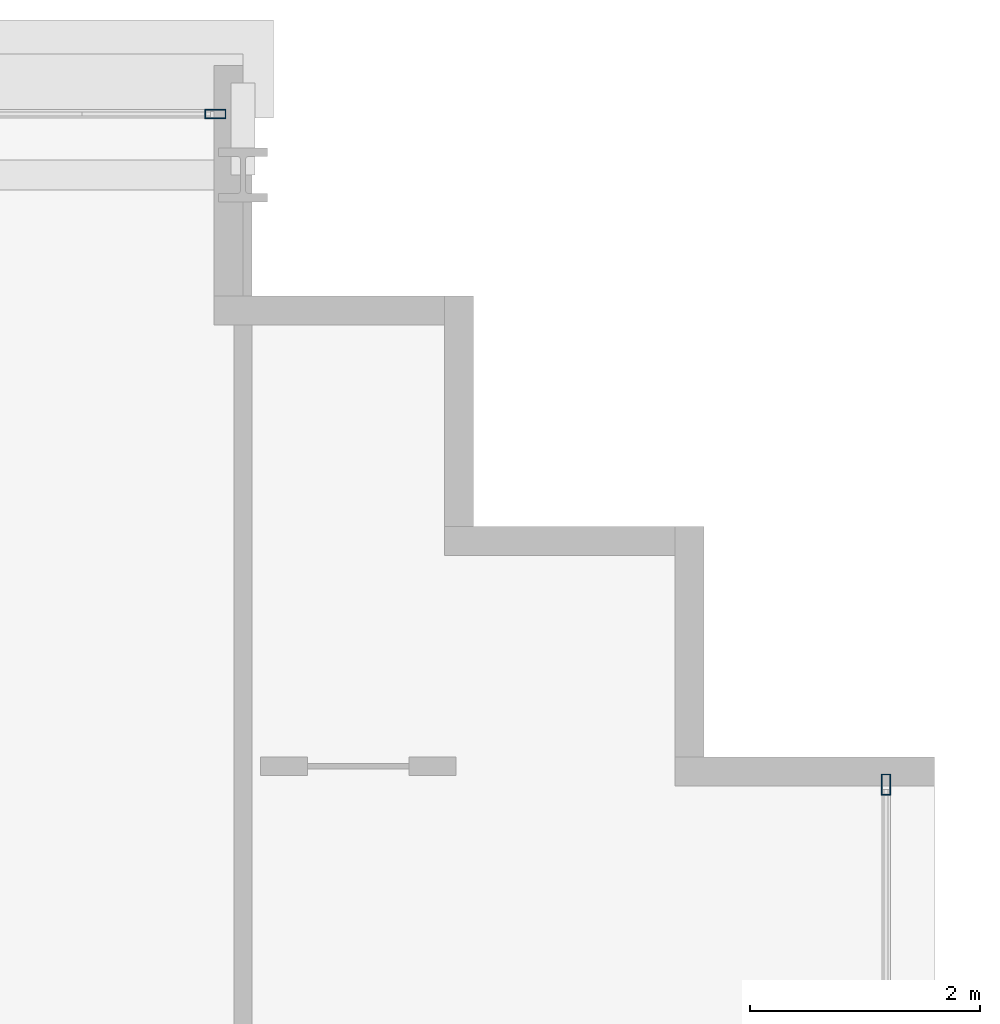
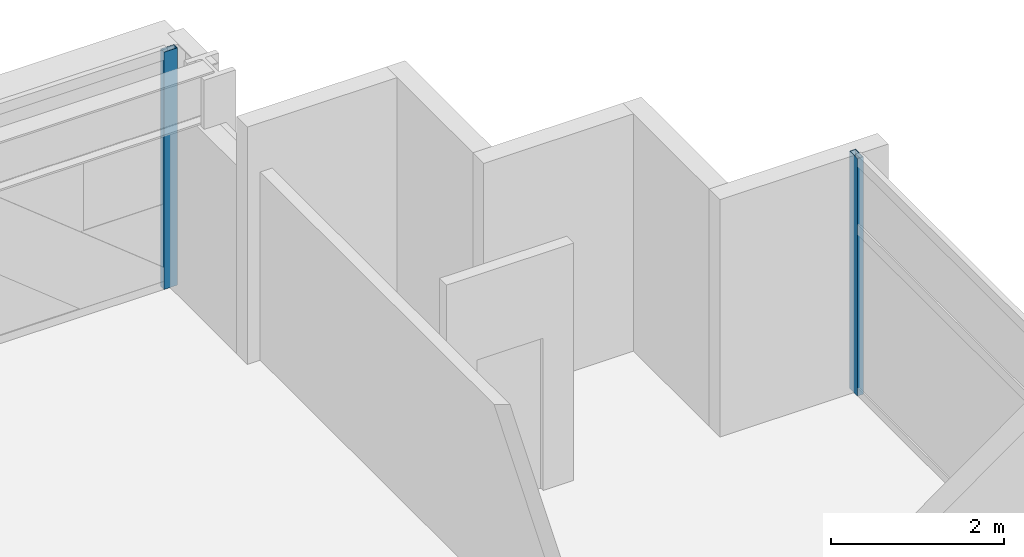
# One storey, part 22 of 35: 2 members, 2 elements without a shape of their own.
"""IFC4 building model written with IfcOpenShell, lengths in metres."""

from ifc_helpers import new_model, si_unit, direction, frame, origin, origin_2d, place, context, subcontext, project, spatial, hollow_rectangle, extrude, source, transform, mapped, material, layer, layer_set, material_profile, profile_set, type_object, element, aggregate, save


model = new_model("IFC4")

# Units and contexts
model_context = context("Model", 3, precision=1e-05, world=origin(), true_north=direction((0.0, 1.0)))
body_context = subcontext(model_context, "Body", "Model", "MODEL_VIEW")
ifc_project = project(units=[si_unit("LENGTHUNIT", "METRE"), si_unit("AREAUNIT", "SQUARE_METRE"), si_unit("VOLUMEUNIT", "CUBIC_METRE"), si_unit("PLANEANGLEUNIT", "RADIAN"), si_unit("MASSUNIT", "GRAM", prefix="KILO")], contexts=[model_context])

# Site, building, storey
site_placement = place(None, origin())
site = spatial("IfcSite", under=ifc_project, at=site_placement, CompositionType="ELEMENT")
building_placement = place(site_placement, origin())
building = spatial("IfcBuilding", under=site, at=building_placement, Name="Ocotamira Hotel", CompositionType="ELEMENT")
storey_placement = place(building_placement, frame((0.0, 0.0, 49.199951171875)))
storey = spatial("IfcBuildingStorey", under=building, at=storey_placement, Name="L11", CompositionType="ELEMENT", Elevation=49.199951171875)

# Curtain wall, member
ifc_material_1 = material(Name="Anodised pale-metal aluminium and solar glass", Category="aluminium")
ifc_layer = layer(ifc_material_1, 0.179931640625)
ifc_layer_set = layer_set([ifc_layer], Name="Anodised pale-metal aluminium and solar glass")
curtain_wall_type = type_object("IfcCurtainWallType", Name="CW-SYS2-Z1", PredefinedType="NOTDEFINED", material=ifc_layer_set)
curtain_wall_1_placement = place(storey_placement, origin())
curtain_wall_1 = element("IfcCurtainWall", 1, at=curtain_wall_1_placement, inside=storey, type_object=curtain_wall_type, Name="L11 Curtain Wall CW-2 CW-L11-N", PredefinedType="NOTDEFINED")
ifc_material_2 = material(Name="Anodised pale-metal aluminium 6063-T6", Category="aluminium")
ifc_material_profile = material_profile(ifc_material_2, hollow_rectangle(XDim=0.080078125, YDim=0.179931640625, WallThickness=0.006103515625, at=origin_2d()), Name="HSS180X80X6")
ifc_profile_set = profile_set([ifc_material_profile], Name="Anodised pale-metal aluminium 6063-T6")
member_type = type_object("IfcMemberType", Name="CWM-180X75", PredefinedType="MULLION", material=ifc_profile_set)
shared_shape = source(origin(), body_context, "Body", "SweptSolid", [
    extrude(hollow_rectangle(XDim=0.080078125, YDim=0.179931640625, WallThickness=0.006103515625, at=origin_2d()), origin(), (0.0, 0.0, 1.0), 3.35009765625),
])
member_1_placement = place(storey_placement, frame((49.760009765625, 49.580078125, 0.0), z_axis=(0.0, 0.0, 1.0), x_axis=(0.0, 1.0, 0.0)))
member_1 = element("IfcMember", 2, at=member_1_placement, type_object=member_type, Name="CW-2 mullion 10", PredefinedType="MULLION", context=body_context, shape_type="MappedRepresentation", body=[
    mapped(shared_shape, transform((0.0, 0.0, 0.0), scale=1.0)),
])
aggregate(curtain_wall_1, [member_1])

curtain_wall_2_placement = place(storey_placement, origin())
curtain_wall_2 = element("IfcCurtainWall", 3, at=curtain_wall_2_placement, inside=storey, type_object=curtain_wall_type, Name="L11 Curtain Wall CW-2 CW-L11-E", PredefinedType="NOTDEFINED")
member_2_placement = place(storey_placement, frame((55.580078125, 43.760009765625, 0.0), z_axis=(0.0, 0.0, 1.0), x_axis=(-1.0, 0.0, 0.0)))
member_2 = element("IfcMember", 4, at=member_2_placement, type_object=member_type, Name="CW-2 mullion 8", PredefinedType="MULLION", context=body_context, shape_type="MappedRepresentation", body=[
    mapped(shared_shape, transform((0.0, 0.0, 0.0), scale=1.0)),
])
aggregate(curtain_wall_2, [member_2])

save(model, "model.ifc")
